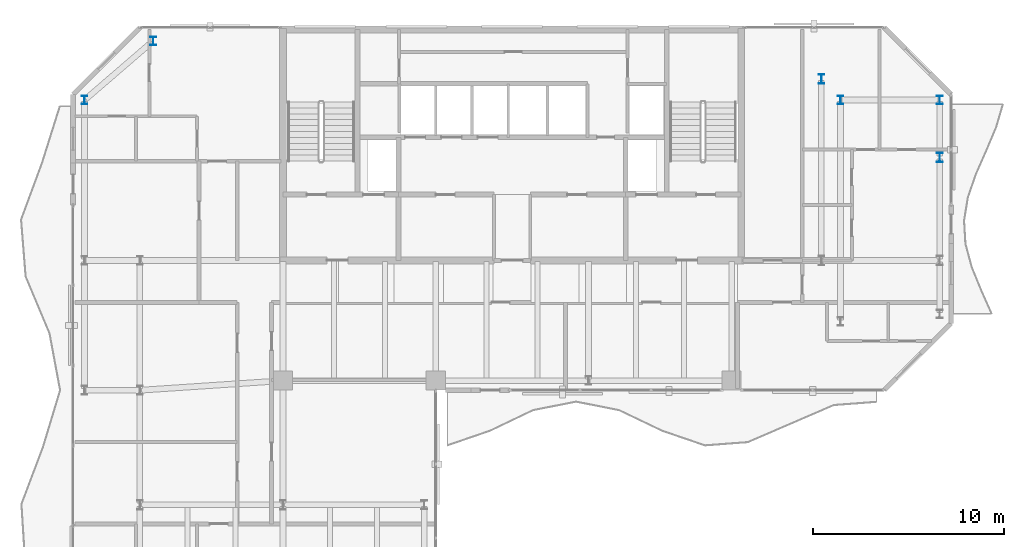
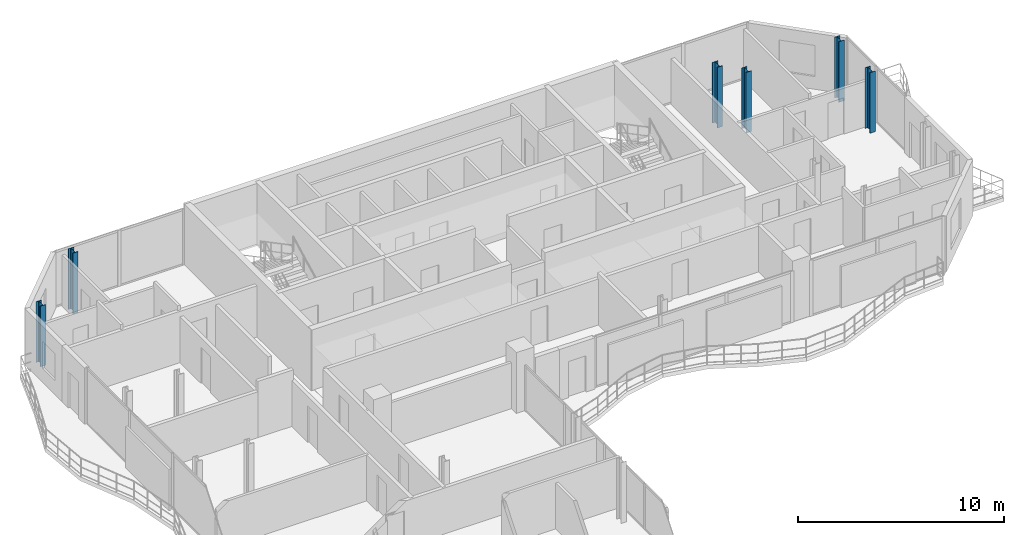
# One storey, part 2 of 23: 6 columns.
"""IFC4 building model written with IfcOpenShell, lengths in metres."""

import ifcopenshell
import ifcopenshell.guid

model = None  # the IFC model being written
_history = None  # IfcOwnerHistory: only IFC2X3 demands one
_inside = {}  # id of a spatial element -> (the spatial element, [elements in it])
_under = {}  # id of a project, library or spatial element -> (it, [spatial elements below it])
_declared = {}  # id of a project -> (the project, [libraries it declares])
_typed = {}  # id of a type object -> (the type object, [elements of that type])
_made_of = {}  # id of a material, layer set ... -> (it, [elements and type objects made of it])


def new_model(schema):
    """Start an empty IFC model of exactly this schema.

    Asked for "IFC4X3", IfcOpenShell would pick the latest addendum, in which some entities
    have other attributes; the version numbers below select the first issue.
    IFC2X3 requires an IfcOwnerHistory on every rooted entity: one is made here for all.
    """
    global model, _history
    if schema == "IFC4X3":
        model = ifcopenshell.file(schema_version=(4, 3, 0, 0))
    else:
        model = ifcopenshell.file(schema=schema)
    _inside.clear()
    _under.clear()
    _declared.clear()
    _typed.clear()
    _made_of.clear()
    _history = None
    if model.schema == "IFC2X3":
        org = make("IfcOrganization", Name="unknown")
        user = make(
            "IfcPersonAndOrganization",
            ThePerson=make("IfcPerson", FamilyName="unknown"),
            TheOrganization=org,
        )
        app = make(
            "IfcApplication",
            ApplicationDeveloper=org,
            Version="unknown",
            ApplicationFullName="unknown",
            ApplicationIdentifier="unknown",
        )
        _history = make(
            "IfcOwnerHistory",
            OwningUser=user,
            OwningApplication=app,
            ChangeAction="ADDED",
            CreationDate=0,
        )
    return model


def make(cls, **values):
    """One entity of the class cls with the attributes given. An attribute that is None is left unset."""
    return model.create_entity(
        cls, **{name: value for name, value in values.items() if value is not None}
    )


def rooted(cls, **values):
    """An entity with a GlobalId (a new one), such as an element, a storey or a relation."""
    return make(cls, GlobalId=ifcopenshell.guid.new(), OwnerHistory=_history, **values)


def si_unit(unit_type, name, prefix=None):
    """IfcSIUnit, for example si_unit("LENGTHUNIT", "METRE", prefix="MILLI")."""
    return make("IfcSIUnit", UnitType=unit_type, Prefix=prefix, Name=name)


def assignment(units):
    """IfcUnitAssignment: the units of a project."""
    return None if units is None else make("IfcUnitAssignment", Units=units)


def point(xyz):
    """IfcCartesianPoint."""
    return None if xyz is None else make("IfcCartesianPoint", Coordinates=xyz)


def direction(xyz):
    """IfcDirection."""
    return None if xyz is None else make("IfcDirection", DirectionRatios=xyz)


def frame(location, z_axis=None, x_axis=None):
    """IfcAxis2Placement3D, a coordinate frame: its origin and axes. An axis left out is left unset."""
    return make(
        "IfcAxis2Placement3D",
        Location=point(location),
        Axis=direction(z_axis),
        RefDirection=direction(x_axis),
    )


def frame_2d(location, x_axis=None):
    """IfcAxis2Placement2D, a coordinate frame in the plane: its origin and x axis."""
    return make(
        "IfcAxis2Placement2D", Location=point(location), RefDirection=direction(x_axis)
    )


def origin():
    """The frame at (0, 0, 0) with its axes left unset."""
    return frame((0.0, 0.0, 0.0))


def origin_2d():
    """The frame at (0, 0) in the plane with its x axis left unset."""
    return frame_2d((0.0, 0.0))


def place(relative_to, where):
    """IfcLocalPlacement: puts the frame where relative to a parent placement (None: the world)."""
    return make(
        "IfcLocalPlacement", PlacementRelTo=relative_to, RelativePlacement=where
    )


def context(
    kind, dimensions, precision=None, world=None, true_north=None, identifier=None
):
    """IfcGeometricRepresentationContext, for example the 3D "Model" context."""
    return make(
        "IfcGeometricRepresentationContext",
        ContextIdentifier=identifier,
        ContextType=kind,
        CoordinateSpaceDimension=dimensions,
        Precision=precision,
        WorldCoordinateSystem=world,
        TrueNorth=true_north,
    )


def subcontext(parent, identifier, kind, view, scale=None):
    """IfcGeometricRepresentationSubContext, for example "Body" below "Model"."""
    return make(
        "IfcGeometricRepresentationSubContext",
        ContextIdentifier=identifier,
        ContextType=kind,
        ParentContext=parent,
        TargetScale=scale,
        TargetView=view,
    )


def project(units=None, contexts=None):
    """IfcProject with its units and contexts."""
    return rooted(
        "IfcProject",
        Name="project",
        RepresentationContexts=contexts,
        UnitsInContext=assignment(units),
    )


def spatial(cls, under=None, at=None, **own):
    """A site, building, storey or space (cls), placed at a placement, below another one or the project."""
    s = rooted(cls, ObjectPlacement=at, **own)
    if under is not None:
        _under.setdefault(under.id(), (under, []))[1].append(s)
    return s


def profile(cls, at=None, kind="AREA", **sizes):
    """A parametric profile (cls). Its sizes go by their IFC names, for example OverallWidth=200.0."""
    return make(cls, ProfileType=kind, Position=at, **sizes)


def i_section(**sizes):
    """IfcIShapeProfileDef."""
    return profile("IfcIShapeProfileDef", **sizes)


def extrude(swept, where, along, depth):
    """IfcExtrudedAreaSolid: the profile swept, set in the frame where, extruded along a direction by depth."""
    return make(
        "IfcExtrudedAreaSolid",
        SweptArea=swept,
        Position=where,
        ExtrudedDirection=direction(along),
        Depth=depth,
    )


def shape(context_of_items, identifier, shape_type, items):
    """IfcShapeRepresentation: the items that make up one representation, for example the "Body"."""
    return make(
        "IfcShapeRepresentation",
        ContextOfItems=context_of_items,
        RepresentationIdentifier=identifier,
        RepresentationType=shape_type,
        Items=items,
    )


def material(Name=None, Category=None):
    """IfcMaterial."""
    return make("IfcMaterial", Name=Name, Category=Category)


def material_profile(
    of_material, cross_section, Name=None, Category=None, Priority=None
):
    """IfcMaterialProfile: a cross section and its material."""
    return make(
        "IfcMaterialProfile",
        Name=Name,
        Material=of_material,
        Profile=cross_section,
        Priority=Priority,
        Category=Category,
    )


def profile_set(profiles, Name=None, composite=None):
    """IfcMaterialProfileSet."""
    return make(
        "IfcMaterialProfileSet",
        Name=Name,
        MaterialProfiles=profiles,
        CompositeProfile=composite,
    )


def made_of(thing, what):
    """Note that an element or type object is made of a material, layer set ...; save() writes the relation."""
    if what is not None:
        _made_of.setdefault(what.id(), (what, []))[1].append(thing)
    return thing


def type_object(cls, material=None, **own):
    """A type object (cls), such as IfcWallType, which elements share."""
    return made_of(rooted(cls, **own), material)


def element(
    cls,
    number,
    at=None,
    inside=None,
    cuts=None,
    type_object=None,
    material=None,
    context=None,
    identifier="Body",
    shape_type=None,
    held_by="IfcProductDefinitionShape",
    body=None,
    shapes=None,
    **own,
):
    """One element of the class cls, such as IfcWall. Its Tag is "e" and its number.

    at: its placement. inside: the storey or other place that contains it. cuts: it is an
    opening in that element (IfcRelVoidsElement). A single representation is given by context,
    identifier, shape_type and body (its items); several are given by shapes. held_by: the class
    of the entity that holds the representations. save() writes the other relations.
    """
    e = rooted(cls, Tag="e%d" % number, ObjectPlacement=at, **own)
    if body is not None:
        shapes = [shape(context, identifier, shape_type, body)]
    if shapes is not None:
        e.Representation = make(held_by, Representations=shapes)
    if inside is not None:
        _inside.setdefault(inside.id(), (inside, []))[1].append(e)
    if cuts is not None:
        rooted(
            "IfcRelVoidsElement", RelatingBuildingElement=cuts, RelatedOpeningElement=e
        )
    if type_object is not None:
        _typed.setdefault(type_object.id(), (type_object, []))[1].append(e)
    return made_of(e, material)


def aggregate(whole, parts):
    """IfcRelAggregates: a whole, such as a stair, and the parts it consists of."""
    return rooted("IfcRelAggregates", RelatingObject=whole, RelatedObjects=parts)


def save(model, path):
    """Write the relations noted so far, then the file.

    IfcRelAggregates (storeys below a building ...), IfcRelContainedInSpatialStructure (elements
    in a storey), IfcRelDefinesByType, IfcRelAssociatesMaterial and IfcRelDeclares: one each for
    every whole, place, type object, material and project.
    """
    for whole, parts in _under.values():
        aggregate(whole, parts)
    for where, things in _inside.values():
        rooted(
            "IfcRelContainedInSpatialStructure",
            RelatedElements=things,
            RelatingStructure=where,
        )
    for kind, things in _typed.values():
        rooted("IfcRelDefinesByType", RelatedObjects=things, RelatingType=kind)
    for what, things in _made_of.values():
        rooted("IfcRelAssociatesMaterial", RelatedObjects=things, RelatingMaterial=what)
    for by, libraries in _declared.values():
        rooted("IfcRelDeclares", RelatingContext=by, RelatedDefinitions=libraries)
    model.write(path)


model = new_model("IFC4")

# Units and contexts
model_context = context("Model", 3, precision=1e-05, world=origin(), true_north=direction((0.0, 1.0)))
body_context = subcontext(model_context, "Body", "Model", "MODEL_VIEW")
ifc_project = project(units=[si_unit("LENGTHUNIT", "METRE"), si_unit("AREAUNIT", "SQUARE_METRE"), si_unit("VOLUMEUNIT", "CUBIC_METRE"), si_unit("PLANEANGLEUNIT", "RADIAN"), si_unit("MASSUNIT", "GRAM", prefix="KILO")], contexts=[model_context])

# Site, building, storey
site_placement = place(None, origin())
site = spatial("IfcSite", under=ifc_project, at=site_placement, CompositionType="ELEMENT")
building_placement = place(site_placement, origin())
building = spatial("IfcBuilding", under=site, at=building_placement, Name="Catumbela Crestline Tower", CompositionType="ELEMENT")
storey_placement = place(building_placement, frame((0.0, 0.0, 201.0)))
storey = spatial("IfcBuildingStorey", under=building, at=storey_placement, Name="L52", CompositionType="ELEMENT", Elevation=201.0)

# Columns
ifc_material = material(Name="Structural steel S355J2", Category="steel")
ifc_material_profile_1 = material_profile(ifc_material, i_section(OverallWidth=0.3, OverallDepth=0.45, WebThickness=0.014, FlangeThickness=0.026, FilletRadius=0.027, at=origin_2d()), Name="HEB 450")
ifc_profile_set_1 = profile_set([ifc_material_profile_1], Name="Structural steel S355J2")
column_type_1 = type_object("IfcColumnType", Name="C-ST-HEB450", PredefinedType="COLUMN", material=ifc_profile_set_1)
for number, where, z_axis, x_axis, name in (
    (1, (5.6, 39.2, 0.0), (0.0, 0.0, 1.0), (1.0, 0.0, 0.0), "L52 Column C-05-43 (HEB 450)"),
    (2, (9.2, 42.3, 0.0), (0.0, 0.0, 1.0), (1.0, 0.0, 0.0), "L52 Column C-08-43 (HEB 450)"),
    (3, (45.2, 39.2, 0.0), (0.0, 0.0, 1.0), (1.0, 0.0, 0.0), "L52 Column C-46-43 (HEB 450)"),
    (4, (50.4, 39.2, 0.0), (0.0, 0.0, 1.0), (1.0, 0.0, 0.0), "L52 Column C-51-43 (HEB 450)"),
):
    element("IfcColumn", number, at=place(storey_placement, frame(where, z_axis=z_axis, x_axis=x_axis)), inside=storey, type_object=column_type_1, Name=name, PredefinedType="COLUMN", context=body_context, shape_type="SweptSolid", body=[
        extrude(i_section(OverallWidth=0.3, OverallDepth=0.45, WebThickness=0.014, FlangeThickness=0.026, FilletRadius=0.027, at=origin_2d()), origin(), (0.0, 0.0, 1.0), 3.6),
    ])
ifc_material_profile_2 = material_profile(ifc_material, i_section(OverallWidth=0.3, OverallDepth=0.5, WebThickness=0.0145, FlangeThickness=0.028, FilletRadius=0.027, at=origin_2d()), Name="HEB 500")
ifc_profile_set_2 = profile_set([ifc_material_profile_2], Name="Structural steel S355J2")
column_type_2 = type_object("IfcColumnType", Name="C-ST-HEB500", PredefinedType="COLUMN", material=ifc_profile_set_2)
for number, where, z_axis, x_axis, name in (
    (5, (44.2, 40.3, 0.0), (0.0, 0.0, 1.0), (1.0, 0.0, 0.0), "L52 Column CT-46-37 (HEB 500)"),
    (6, (50.4, 36.2, 0.0), (0.0, 0.0, 1.0), (1.0, 0.0, 0.0), "L52 Column CT-51-37 (HEB 500)"),
):
    element("IfcColumn", number, at=place(storey_placement, frame(where, z_axis=z_axis, x_axis=x_axis)), inside=storey, type_object=column_type_2, Name=name, PredefinedType="COLUMN", context=body_context, shape_type="SweptSolid", body=[
        extrude(i_section(OverallWidth=0.3, OverallDepth=0.5, WebThickness=0.0145, FlangeThickness=0.028, FilletRadius=0.027, at=origin_2d()), origin(), (0.0, 0.0, 1.0), 3.6),
    ])

save(model, "model.ifc")
